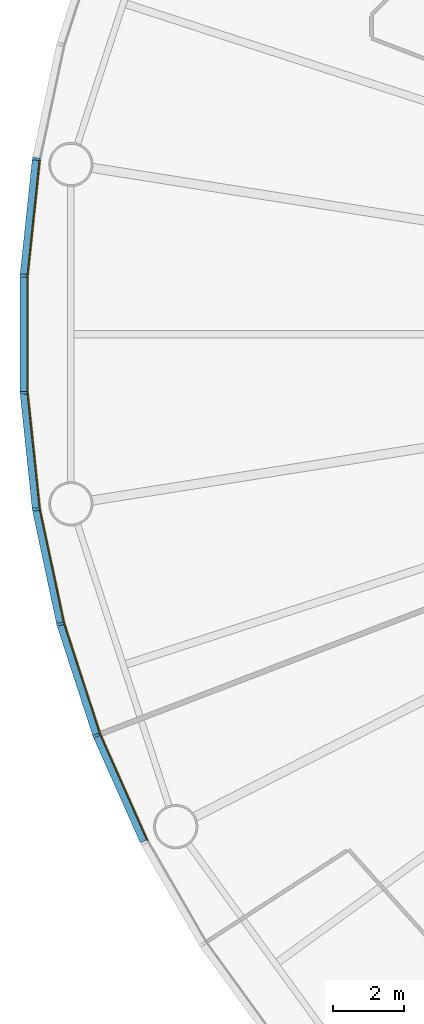
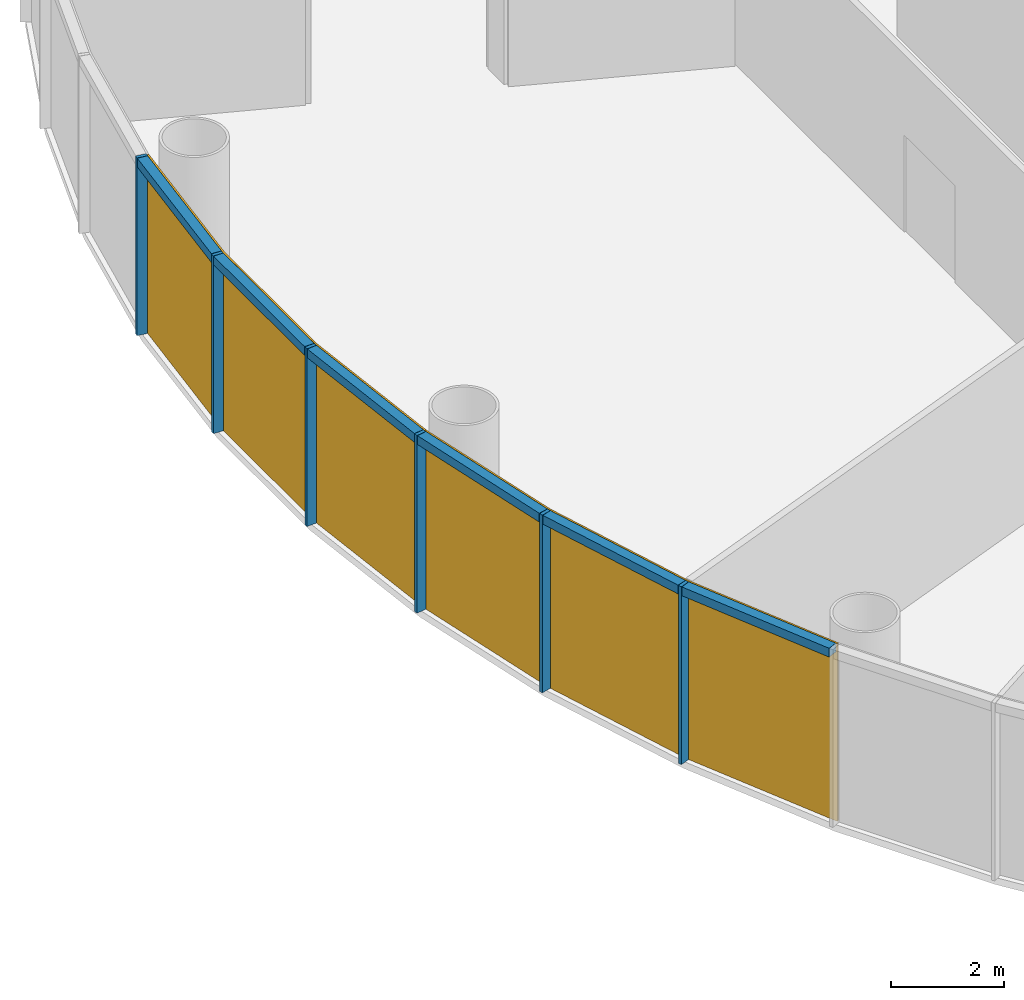
# One storey, part 8 of 13: 12 members, 2 curtain walls.
"""IFC4 building model written with IfcOpenShell, lengths in metres."""

from ifc_helpers import new_model, si_unit, direction, frame, origin, origin_2d, place, context, subcontext, project, spatial, polyline, rectangle, outline, extrude, material, layer, layer_set, material_profile, profile_set, type_object, element, aggregate, save


model = new_model("IFC4")

# Units and contexts
model_context = context("Model", 3, precision=1e-05, world=origin(), true_north=direction((0.0, 1.0)))
body_context = subcontext(model_context, "Body", "Model", "MODEL_VIEW")
ifc_project = project(units=[si_unit("LENGTHUNIT", "METRE"), si_unit("AREAUNIT", "SQUARE_METRE"), si_unit("VOLUMEUNIT", "CUBIC_METRE"), si_unit("PLANEANGLEUNIT", "RADIAN"), si_unit("MASSUNIT", "GRAM", prefix="KILO")], contexts=[model_context])

# Member
ifc_material_1 = material(Name="Anodised aluminium", Category="aluminium")
ifc_material_profile_1 = material_profile(ifc_material_1, rectangle(XDim=0.070068359375, YDim=0.199951171875, at=origin_2d()), Name="Mullion 70 x 200 mm anodised aluminium")
ifc_profile_set_1 = profile_set([ifc_material_profile_1], Name="Anodised aluminium")
member_type_1 = type_object("IfcMemberType", Name="Mullion 70 x 200 mm anodised aluminium", PredefinedType="MULLION", material=ifc_profile_set_1)
site_placement = place(None, origin())
building_placement = place(site_placement, origin())
storey_placement = place(building_placement, frame((0.0, 0.0, 120.0)))
member_1_placement = place(storey_placement, frame((58.7890625, 84.943359375, 0.0), z_axis=(0.0, 0.0, 1.0), x_axis=(-0.15643446504, -0.987688340595, 0.0)))
member_1 = element("IfcMember", 1, at=member_1_placement, type_object=member_type_1, Name="MULLION L27-27", PredefinedType="MULLION", context=body_context, shape_type="SweptSolid", body=[
    extrude(rectangle(XDim=0.070068359375, YDim=0.199951171875, at=origin_2d()), origin(), (0.0, 0.0, 1.0), 3.85009765625),
])

member_2_placement = place(storey_placement, frame((58.443359375, 81.65380859375, 0.0), z_axis=(0.0, 0.0, 1.0), x_axis=(-0.052335956243, -0.998629534755, 0.0)))
member_2 = element("IfcMember", 2, at=member_2_placement, type_object=member_type_1, Name="MULLION L27-28", PredefinedType="MULLION", context=body_context, shape_type="SweptSolid", body=[
    extrude(rectangle(XDim=0.070068359375, YDim=0.199951171875, at=origin_2d()), origin(), (0.0, 0.0, 1.0), 3.85009765625),
])

member_3_placement = place(storey_placement, frame((58.443359375, 78.34619140625, 0.0), z_axis=(0.0, 0.0, 1.0), x_axis=(0.052335956243, -0.998629534755, 0.0)))
member_3 = element("IfcMember", 3, at=member_3_placement, type_object=member_type_1, Name="MULLION L27-29", PredefinedType="MULLION", context=body_context, shape_type="SweptSolid", body=[
    extrude(rectangle(XDim=0.070068359375, YDim=0.199951171875, at=origin_2d()), origin(), (0.0, 0.0, 1.0), 3.85009765625),
])

member_4_placement = place(storey_placement, frame((58.7890625, 75.056640625, 0.0), z_axis=(0.0, 0.0, 1.0), x_axis=(0.15643446504, -0.987688340595, 0.0)))
member_4 = element("IfcMember", 4, at=member_4_placement, type_object=member_type_1, Name="MULLION L27-30", PredefinedType="MULLION", context=body_context, shape_type="SweptSolid", body=[
    extrude(rectangle(XDim=0.070068359375, YDim=0.199951171875, at=origin_2d()), origin(), (0.0, 0.0, 1.0), 3.85009765625),
])

member_5_placement = place(storey_placement, frame((59.476806640625, 71.8212890625, 0.0), z_axis=(0.0, 0.0, 1.0), x_axis=(0.258819045103, -0.965925826289, 0.0)))
member_5 = element("IfcMember", 5, at=member_5_placement, type_object=member_type_1, Name="MULLION L27-31", PredefinedType="MULLION", context=body_context, shape_type="SweptSolid", body=[
    extrude(rectangle(XDim=0.070068359375, YDim=0.199951171875, at=origin_2d()), origin(), (0.0, 0.0, 1.0), 3.85009765625),
])

member_6_placement = place(storey_placement, frame((60.498779296875, 68.675537109375, 0.0), z_axis=(0.0, 0.0, 1.0), x_axis=(0.358367949545, -0.933580426497, 0.0)))
member_6 = element("IfcMember", 6, at=member_6_placement, type_object=member_type_1, Name="MULLION L27-32", PredefinedType="MULLION", context=body_context, shape_type="SweptSolid", body=[
    extrude(rectangle(XDim=0.070068359375, YDim=0.199951171875, at=origin_2d()), origin(), (0.0, 0.0, 1.0), 3.85009765625),
])

ifc_material_2 = material(Name="Anodised aluminium", Category="aluminium")
ifc_material_profile_2 = material_profile(ifc_material_2, rectangle(XDim=0.199951171875, YDim=0.18994140625, at=origin_2d()), Name="Transom 190 x 200 mm anodised aluminium")
ifc_profile_set_2 = profile_set([ifc_material_profile_2], Name="Anodised aluminium")
member_type_2 = type_object("IfcMemberType", Name="Transom 190 x 200 mm anodised aluminium", PredefinedType="USERDEFINED", material=ifc_profile_set_2)
member_7_placement = place(storey_placement, frame((58.78466796875, 84.9033203125, 3.7548828125), z_axis=(-0.104550890115, -0.994519537956, 0.0), x_axis=(0.994519537956, -0.104550890115, 0.0)))
member_7 = element("IfcMember", 7, at=member_7_placement, type_object=member_type_2, Name="TRANSOM L27-27", ObjectType="TRANSOM", PredefinedType="USERDEFINED", context=body_context, shape_type="SweptSolid", body=[
    extrude(rectangle(XDim=0.199951171875, YDim=0.18994140625, at=origin_2d()), origin(), (0.0, 0.0, 1.0), 3.22705078125),
])

member_8_placement = place(storey_placement, frame((58.443115234375, 81.613525390625, 3.7548828125), z_axis=(0.0, -1.0, 0.0), x_axis=(1.0, 0.0, 0.0)))
member_8 = element("IfcMember", 8, at=member_8_placement, type_object=member_type_2, Name="TRANSOM L27-28", ObjectType="TRANSOM", PredefinedType="USERDEFINED", context=body_context, shape_type="SweptSolid", body=[
    extrude(rectangle(XDim=0.199951171875, YDim=0.18994140625, at=origin_2d()), origin(), (0.0, 0.0, 1.0), 3.22705078125),
])

member_9_placement = place(storey_placement, frame((58.447265625, 78.30615234375, 3.7548828125), z_axis=(0.104550890115, -0.994519537956, 0.0), x_axis=(0.994519537956, 0.104550890115, 0.0)))
member_9 = element("IfcMember", 9, at=member_9_placement, type_object=member_type_2, Name="TRANSOM L27-29", ObjectType="TRANSOM", PredefinedType="USERDEFINED", context=body_context, shape_type="SweptSolid", body=[
    extrude(rectangle(XDim=0.199951171875, YDim=0.18994140625, at=origin_2d()), origin(), (0.0, 0.0, 1.0), 3.22705078125),
])

member_10_placement = place(storey_placement, frame((58.79736328125, 75.017333984375, 3.7548828125), z_axis=(0.207885898771, -0.978153082647, 0.0), x_axis=(0.978153082647, 0.207885898771, 0.0)))
member_10 = element("IfcMember", 10, at=member_10_placement, type_object=member_type_2, Name="TRANSOM L27-30", ObjectType="TRANSOM", PredefinedType="USERDEFINED", context=body_context, shape_type="SweptSolid", body=[
    extrude(rectangle(XDim=0.199951171875, YDim=0.18994140625, at=origin_2d()), origin(), (0.0, 0.0, 1.0), 3.227294921875),
])

member_11_placement = place(storey_placement, frame((59.489013671875, 71.782958984375, 3.7548828125), z_axis=(0.309046726844, -0.951046855117, 0.0), x_axis=(0.951046855117, 0.309046726844, 0.0)))
member_11 = element("IfcMember", 11, at=member_11_placement, type_object=member_type_2, Name="TRANSOM L27-31", ObjectType="TRANSOM", PredefinedType="USERDEFINED", context=body_context, shape_type="SweptSolid", body=[
    extrude(rectangle(XDim=0.199951171875, YDim=0.18994140625, at=origin_2d()), origin(), (0.0, 0.0, 1.0), 3.22705078125),
])

member_12_placement = place(storey_placement, frame((60.51513671875, 68.638671875, 3.7548828125), z_axis=(0.406728032322, -0.913549291349, 0.0), x_axis=(0.913549291349, 0.406728032322, 0.0)))
member_12 = element("IfcMember", 12, at=member_12_placement, type_object=member_type_2, Name="TRANSOM L27-32", ObjectType="TRANSOM", PredefinedType="USERDEFINED", context=body_context, shape_type="SweptSolid", body=[
    extrude(rectangle(XDim=0.199951171875, YDim=0.18994140625, at=origin_2d()), origin(), (0.0, 0.0, 1.0), 3.22705078125),
])

# Site, building, storey
site = spatial("IfcSite", under=ifc_project, at=site_placement, CompositionType="ELEMENT")
building = spatial("IfcBuilding", under=site, at=building_placement, Name="Entoto Ring Tower", CompositionType="ELEMENT")
storey = spatial("IfcBuildingStorey", under=building, at=storey_placement, Name="L27", CompositionType="ELEMENT", Elevation=120.0)

# Curtain wall
ifc_material_3 = material(Name="Clear low-iron glass", Category="glass")
ifc_layer = layer(ifc_material_3, 0.035888671875)
ifc_layer_set = layer_set([ifc_layer], Name="Clear low-iron glass")
curtain_wall_type = type_object("IfcCurtainWallType", Name="Curtain wall system CW2 glazing 36 mm", PredefinedType="NOTDEFINED", material=ifc_layer_set)
curtain_wall_1_placement = place(storey_placement, origin())
curtain_wall_1 = element("IfcCurtainWall", 13, at=curtain_wall_1_placement, inside=storey, type_object=curtain_wall_type, Name="CW2 L27-10", PredefinedType="NOTDEFINED", context=body_context, shape_type="SweptSolid", body=[
    extrude(outline(polyline([(58.8876953125, 84.927734375), (58.543212890625, 81.648681640625), (58.543212890625, 78.351318359375), (58.8876953125, 75.072265625), (58.92333984375, 75.077880859375), (58.5791015625, 78.353271484375), (58.5791015625, 81.646728515625), (58.92333984375, 84.922119140625), (58.8876953125, 84.927734375)])), origin(), (0.0, 0.0, 1.0), 3.85009765625),
])

aggregate(curtain_wall_1, [member_1, member_2, member_3, member_7, member_8, member_9])

curtain_wall_2_placement = place(storey_placement, origin())
curtain_wall_2 = element("IfcCurtainWall", 14, at=curtain_wall_2_placement, inside=storey, type_object=curtain_wall_type, Name="CW2 L27-11", PredefinedType="NOTDEFINED", context=body_context, shape_type="SweptSolid", body=[
    extrude(outline(polyline([(58.8876953125, 75.072265625), (59.5732421875, 71.84716796875), (60.59228515625, 68.71142578125), (61.933349609375, 65.69921875), (61.96533203125, 65.715576171875), (60.6259765625, 68.724365234375), (59.608154296875, 71.8564453125), (58.92333984375, 75.077880859375), (58.8876953125, 75.072265625)])), origin(), (0.0, 0.0, 1.0), 3.85009765625),
])

aggregate(curtain_wall_2, [member_4, member_5, member_6, member_10, member_11, member_12])

save(model, "model.ifc")
